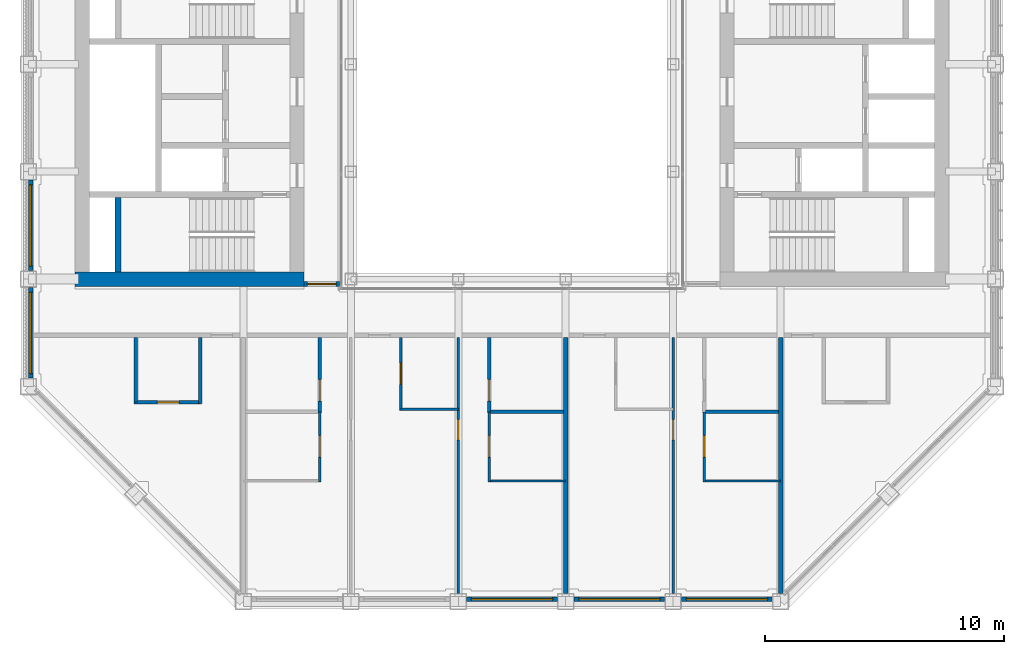
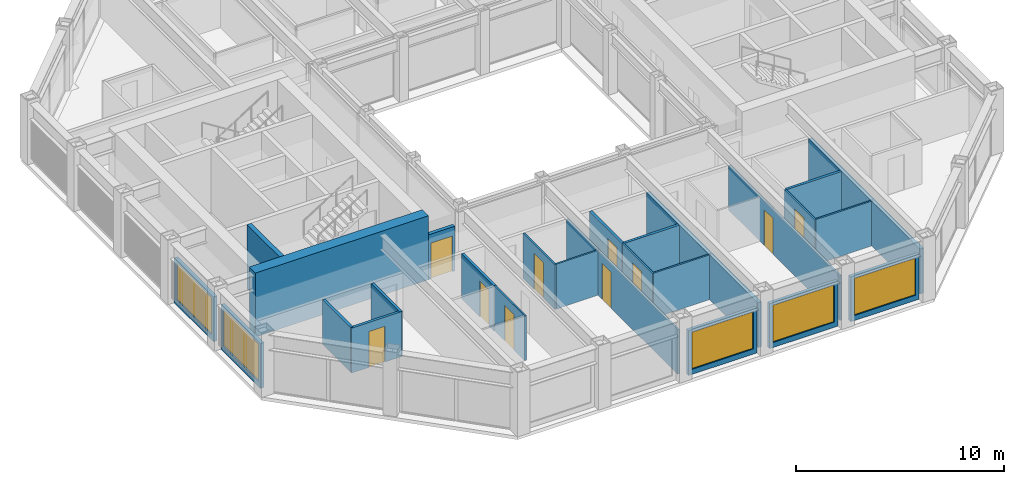
# One storey, part 9 of 18: 26 walls, 10 doors, 5 windows, 15 openings.
"""IFC4 building model written with IfcOpenShell, lengths in metres."""

from ifc_helpers import new_model, si_unit, direction, frame, frame_2d, origin, place, context, subcontext, project, spatial, rectangle, extrude, material, layer, layer_set, type_object, element, fill, save


model = new_model("IFC4")

# Units and contexts
model_context = context("Model", 3, precision=1e-05, world=origin(), true_north=direction((0.0, 1.0)))
body_context = subcontext(model_context, "Body", "Model", "MODEL_VIEW")
ifc_project = project(units=[si_unit("LENGTHUNIT", "METRE"), si_unit("AREAUNIT", "SQUARE_METRE"), si_unit("VOLUMEUNIT", "CUBIC_METRE"), si_unit("PLANEANGLEUNIT", "RADIAN"), si_unit("MASSUNIT", "GRAM", prefix="KILO")], contexts=[model_context])

# Site, building, storey
site_placement = place(None, origin())
site = spatial("IfcSite", under=ifc_project, at=site_placement, CompositionType="ELEMENT")
building_placement = place(site_placement, origin())
building = spatial("IfcBuilding", under=site, at=building_placement, Name="Msasa Ring Tower", CompositionType="ELEMENT")
storey_placement = place(building_placement, frame((0.0, 0.0, 245.800048828125)))
storey = spatial("IfcBuildingStorey", under=building, at=storey_placement, Name="L64", CompositionType="ELEMENT", Elevation=245.800048828125)

# Walls
ifc_material_1 = material(Name="Concrete C60/75", Category="concrete")
ifc_layer_1 = layer(ifc_material_1, 0.60009765625)
ifc_layer_set_1 = layer_set([ifc_layer_1], Name="CW3 CORE WALL 600")
wall_type_1 = type_object("IfcWallType", Name="CW3 CORE WALL 600", PredefinedType="SHEAR", material=ifc_layer_set_1)
wall_1_placement = place(storey_placement, frame((-8.699951171875, -6.75, 0.0), z_axis=(0.0, 0.0, 1.0), x_axis=(-1.0, 0.0, 0.0)))
element("IfcWall", 1, at=wall_1_placement, inside=storey, type_object=wall_type_1, Name="W core wall S L64", PredefinedType="SHEAR", context=body_context, shape_type="SweptSolid", body=[
    extrude(rectangle(XDim=9.60009765625, YDim=0.60009765625, at=frame_2d((4.800048828125, 0.0))), origin(), (0.0, 0.0, 1.0), 3.75),
])
ifc_material_2 = material(Name="Concrete C60/75", Category="concrete")
ifc_layer_2 = layer(ifc_material_2, 0.25)
ifc_layer_set_2 = layer_set([ifc_layer_2], Name="CW4 CORE INNER WALL 250")
wall_type_2 = type_object("IfcWallType", Name="CW4 CORE INNER WALL 250", PredefinedType="SHEAR", material=ifc_layer_set_2)
wall_2_placement = place(storey_placement, frame((-16.5, -6.449951171875, 0.0), z_axis=(0.0, 0.0, 1.0), x_axis=(0.0, 1.0, 0.0)))
element("IfcWall", 2, at=wall_2_placement, inside=storey, type_object=wall_type_2, Name="W core wall RISERA L64", PredefinedType="SHEAR", context=body_context, shape_type="SweptSolid", body=[
    extrude(rectangle(XDim=3.125, YDim=0.25, at=frame_2d((1.5625, 0.0))), origin(), (0.0, 0.0, 1.0), 3.75),
])

# Wall, opening, window
ifc_material_3 = material(Name="Terracotta rainscreen on blockwork", Category="masonry")
ifc_layer_3 = layer(ifc_material_3, 0.199951171875)
ifc_layer_set_3 = layer_set([ifc_layer_3], Name="FW1 TERRACOTTA-LINED INFILL BAY WALL 200")
wall_type_3 = type_object("IfcWallType", Name="FW1 TERRACOTTA-LINED INFILL BAY WALL 200", PredefinedType="SOLIDWALL", material=ifc_layer_set_3)
wall_3_placement = place(storey_placement, frame((-1.89501953125, -20.14990234375, 0.0), z_axis=(0.0, 0.0, 1.0), x_axis=(1.0, 0.0, 0.0)))
wall_3 = element("IfcWall", 3, at=wall_3_placement, inside=storey, type_object=wall_type_3, Name="Infill bay wall S L64 02", PredefinedType="SOLIDWALL", context=body_context, shape_type="SweptSolid", body=[
    extrude(rectangle(XDim=3.7900390625, YDim=0.199951171875, at=frame_2d((1.89501953125, 0.0))), origin(), (0.0, 0.0, 1.0), 2.62890625),
])
opening_1_placement = place(wall_3_placement, frame((0.195068359375, 0.0, 0.300048828125)))
opening_1 = element("IfcOpeningElement", 4, at=opening_1_placement, cuts=wall_3, Name="Opening WN3", PredefinedType="OPENING", context=body_context, shape_type="SweptSolid", body=[
    extrude(rectangle(XDim=3.39990234375, YDim=2.178955078125, at=frame_2d((1.699951171875, 1.08935546875))), frame((0.0, 0.10986328125, 0.0), z_axis=(0.0, -1.0, 0.0), x_axis=(1.0, 0.0, 0.0)), (0.0, 0.0, 1.0), 0.219970703125),
])
ifc_material_4 = material(Name="Aluminium frame with clear glass", Category="aluminium")
window_type = type_object("IfcWindowType", Name="WN3 SUITE WINDOW 3400x2179", PartitioningType="SINGLE_PANEL", PredefinedType="WINDOW", material=ifc_material_4)
window_1_placement = place(opening_1_placement, origin())
window_1 = element("IfcWindow", 5, at=window_1_placement, inside=storey, type_object=window_type, Name="Window S L64 02", OverallHeight=2.178955078125, OverallWidth=3.39990234375, PartitioningType="SINGLE_PANEL", PredefinedType="WINDOW", context=body_context, shape_type="SweptSolid", body=[
    extrude(rectangle(XDim=3.39990234375, YDim=2.178955078125, at=frame_2d((1.699951171875, 1.08935546875))), frame((0.0, 0.030029296875, 0.0), z_axis=(0.0, -1.0, 0.0), x_axis=(1.0, 0.0, 0.0)), (0.0, 0.0, 1.0), 0.06005859375),
])
fill(opening_1, window_1)

wall_4_placement = place(storey_placement, frame((2.60498046875, -20.14990234375, 0.0), z_axis=(0.0, 0.0, 1.0), x_axis=(1.0, 0.0, 0.0)))
wall_4 = element("IfcWall", 6, at=wall_4_placement, inside=storey, type_object=wall_type_3, Name="Infill bay wall S L64 03", PredefinedType="SOLIDWALL", context=body_context, shape_type="SweptSolid", body=[
    extrude(rectangle(XDim=3.7900390625, YDim=0.199951171875, at=frame_2d((1.89501953125, 0.0))), origin(), (0.0, 0.0, 1.0), 2.62890625),
])
opening_2_placement = place(wall_4_placement, frame((0.195068359375, 0.0, 0.300048828125)))
opening_2 = element("IfcOpeningElement", 7, at=opening_2_placement, cuts=wall_4, Name="Opening WN3", PredefinedType="OPENING", context=body_context, shape_type="SweptSolid", body=[
    extrude(rectangle(XDim=3.39990234375, YDim=2.178955078125, at=frame_2d((1.699951171875, 1.08935546875))), frame((0.0, 0.10986328125, 0.0), z_axis=(0.0, -1.0, 0.0), x_axis=(1.0, 0.0, 0.0)), (0.0, 0.0, 1.0), 0.219970703125),
])
window_2_placement = place(opening_2_placement, origin())
window_2 = element("IfcWindow", 8, at=window_2_placement, inside=storey, type_object=window_type, Name="Window S L64 03", OverallHeight=2.178955078125, OverallWidth=3.39990234375, PartitioningType="SINGLE_PANEL", PredefinedType="WINDOW", context=body_context, shape_type="SweptSolid", body=[
    extrude(rectangle(XDim=3.39990234375, YDim=2.178955078125, at=frame_2d((1.699951171875, 1.08935546875))), frame((0.0, 0.030029296875, 0.0), z_axis=(0.0, -1.0, 0.0), x_axis=(1.0, 0.0, 0.0)), (0.0, 0.0, 1.0), 0.06005859375),
])
fill(opening_2, window_2)

wall_5_placement = place(storey_placement, frame((7.10498046875, -20.14990234375, 0.0), z_axis=(0.0, 0.0, 1.0), x_axis=(1.0, 0.0, 0.0)))
wall_5 = element("IfcWall", 9, at=wall_5_placement, inside=storey, type_object=wall_type_3, Name="Infill bay wall S L64 04", PredefinedType="SOLIDWALL", context=body_context, shape_type="SweptSolid", body=[
    extrude(rectangle(XDim=3.7900390625, YDim=0.199951171875, at=frame_2d((1.89501953125, 0.0))), origin(), (0.0, 0.0, 1.0), 2.62890625),
])
opening_3_placement = place(wall_5_placement, frame((0.195068359375, 0.0, 0.300048828125)))
opening_3 = element("IfcOpeningElement", 10, at=opening_3_placement, cuts=wall_5, Name="Opening WN3", PredefinedType="OPENING", context=body_context, shape_type="SweptSolid", body=[
    extrude(rectangle(XDim=3.39990234375, YDim=2.178955078125, at=frame_2d((1.699951171875, 1.08935546875))), frame((0.0, 0.10986328125, 0.0), z_axis=(0.0, -1.0, 0.0), x_axis=(1.0, 0.0, 0.0)), (0.0, 0.0, 1.0), 0.219970703125),
])
window_3_placement = place(opening_3_placement, origin())
window_3 = element("IfcWindow", 11, at=window_3_placement, inside=storey, type_object=window_type, Name="Window S L64 04", OverallHeight=2.178955078125, OverallWidth=3.39990234375, PartitioningType="SINGLE_PANEL", PredefinedType="WINDOW", context=body_context, shape_type="SweptSolid", body=[
    extrude(rectangle(XDim=3.39990234375, YDim=2.178955078125, at=frame_2d((1.699951171875, 1.08935546875))), frame((0.0, 0.030029296875, 0.0), z_axis=(0.0, -1.0, 0.0), x_axis=(1.0, 0.0, 0.0)), (0.0, 0.0, 1.0), 0.06005859375),
])
fill(opening_3, window_3)

wall_6_placement = place(storey_placement, frame((-20.14990234375, -10.89501953125, 0.0), z_axis=(0.0, 0.0, 1.0), x_axis=(0.0, 1.0, 0.0)))
wall_6 = element("IfcWall", 12, at=wall_6_placement, inside=storey, type_object=wall_type_3, Name="Infill bay wall W L64 21", PredefinedType="SOLIDWALL", context=body_context, shape_type="SweptSolid", body=[
    extrude(rectangle(XDim=3.7900390625, YDim=0.199951171875, at=frame_2d((1.89501953125, 0.0))), origin(), (0.0, 0.0, 1.0), 2.62890625),
])
opening_4_placement = place(wall_6_placement, frame((0.195068359375, 0.0, 0.300048828125)))
opening_4 = element("IfcOpeningElement", 13, at=opening_4_placement, cuts=wall_6, Name="Opening WN3", PredefinedType="OPENING", context=body_context, shape_type="SweptSolid", body=[
    extrude(rectangle(XDim=3.39990234375, YDim=2.178955078125, at=frame_2d((1.699951171875, 1.08935546875))), frame((0.0, 0.10986328125, 0.0), z_axis=(0.0, -1.0, 0.0), x_axis=(1.0, 0.0, 0.0)), (0.0, 0.0, 1.0), 0.219970703125),
])
window_4_placement = place(opening_4_placement, origin())
window_4 = element("IfcWindow", 14, at=window_4_placement, inside=storey, type_object=window_type, Name="Window W L64 21", OverallHeight=2.178955078125, OverallWidth=3.39990234375, PartitioningType="SINGLE_PANEL", PredefinedType="WINDOW", context=body_context, shape_type="SweptSolid", body=[
    extrude(rectangle(XDim=3.39990234375, YDim=2.178955078125, at=frame_2d((1.699951171875, 1.08935546875))), frame((0.0, 0.030029296875, 0.0), z_axis=(0.0, -1.0, 0.0), x_axis=(1.0, 0.0, 0.0)), (0.0, 0.0, 1.0), 0.06005859375),
])
fill(opening_4, window_4)

wall_7_placement = place(storey_placement, frame((-20.14990234375, -6.39501953125, 0.0), z_axis=(0.0, 0.0, 1.0), x_axis=(0.0, 1.0, 0.0)))
wall_7 = element("IfcWall", 15, at=wall_7_placement, inside=storey, type_object=wall_type_3, Name="Infill bay wall W L64 22", PredefinedType="SOLIDWALL", context=body_context, shape_type="SweptSolid", body=[
    extrude(rectangle(XDim=3.7900390625, YDim=0.199951171875, at=frame_2d((1.89501953125, 0.0))), origin(), (0.0, 0.0, 1.0), 2.62890625),
])
opening_5_placement = place(wall_7_placement, frame((0.195068359375, 0.0, 0.300048828125)))
opening_5 = element("IfcOpeningElement", 16, at=opening_5_placement, cuts=wall_7, Name="Opening WN3", PredefinedType="OPENING", context=body_context, shape_type="SweptSolid", body=[
    extrude(rectangle(XDim=3.39990234375, YDim=2.178955078125, at=frame_2d((1.699951171875, 1.08935546875))), frame((0.0, 0.10986328125, 0.0), z_axis=(0.0, -1.0, 0.0), x_axis=(1.0, 0.0, 0.0)), (0.0, 0.0, 1.0), 0.219970703125),
])
window_5_placement = place(opening_5_placement, origin())
window_5 = element("IfcWindow", 17, at=window_5_placement, inside=storey, type_object=window_type, Name="Window W L64 22", OverallHeight=2.178955078125, OverallWidth=3.39990234375, PartitioningType="SINGLE_PANEL", PredefinedType="WINDOW", context=body_context, shape_type="SweptSolid", body=[
    extrude(rectangle(XDim=3.39990234375, YDim=2.178955078125, at=frame_2d((1.699951171875, 1.08935546875))), frame((0.0, 0.030029296875, 0.0), z_axis=(0.0, -1.0, 0.0), x_axis=(1.0, 0.0, 0.0)), (0.0, 0.0, 1.0), 0.06005859375),
])
fill(opening_5, window_5)

# Wall, opening, door
ifc_material_5 = material(Name="Concrete blockwork", Category="masonry")
ifc_layer_4 = layer(ifc_material_5, 0.199951171875)
ifc_layer_set_4 = layer_set([ifc_layer_4], Name="PT1 CORRIDOR WALL 200")
wall_type_4 = type_object("IfcWallType", Name="PT1 CORRIDOR WALL 200", PredefinedType="PARTITIONING", material=ifc_layer_set_4)
wall_8_placement = place(storey_placement, frame((-8.699951171875, -6.949951171875, 0.0), z_axis=(0.0, 0.0, 1.0), x_axis=(1.0, 0.0, 0.0)))
wall_8 = element("IfcWall", 18, at=wall_8_placement, inside=storey, type_object=wall_type_4, Name="Corridor wall L64-SDWS", PredefinedType="PARTITIONING", context=body_context, shape_type="SweptSolid", body=[
    extrude(rectangle(XDim=1.469970703125, YDim=0.199951171875, at=frame_2d((0.73486328125, 0.0))), origin(), (0.0, 0.0, 1.0), 2.62890625),
])
opening_6_placement = place(wall_8_placement, frame((0.135009765625, 0.0, 0.0)))
opening_6 = element("IfcOpeningElement", 19, at=opening_6_placement, cuts=wall_8, Name="Opening SE-032", PredefinedType="OPENING", context=body_context, shape_type="SweptSolid", body=[
    extrude(rectangle(XDim=1.199951171875, YDim=2.10009765625, at=frame_2d((0.60009765625, 1.050048828125))), frame((0.0, 0.10986328125, 0.0), z_axis=(0.0, -1.0, 0.0), x_axis=(1.0, 0.0, 0.0)), (0.0, 0.0, 1.0), 0.219970703125),
])
ifc_material_6 = material(Name="Timber door leaf in a steel frame", Category="steel")
door_type_1 = type_object("IfcDoorType", Name="D25 CORRIDOR PAIR OF SMOKE DOORS 1200x2100", OperationType="DOUBLE_DOOR_DOUBLE_SWING", PredefinedType="DOOR", material=ifc_material_6)
door_1_placement = place(opening_6_placement, origin())
door_1 = element("IfcDoor", 20, at=door_1_placement, inside=storey, type_object=door_type_1, Name="Door L64-SDWS", OperationType="DOUBLE_DOOR_DOUBLE_SWING", OverallHeight=2.10009765625, OverallWidth=1.199951171875, PredefinedType="DOOR", context=body_context, shape_type="SweptSolid", body=[
    extrude(rectangle(XDim=1.199951171875, YDim=2.10009765625, at=frame_2d((0.60009765625, 1.050048828125))), frame((0.0, 0.02490234375, 0.0), z_axis=(0.0, -1.0, 0.0), x_axis=(1.0, 0.0, 0.0)), (0.0, 0.0, 1.0), 0.050048828125),
])
fill(opening_6, door_1)

ifc_material_7 = material(Name="Gypsum board on steel studs", Category="steel")
ifc_layer_5 = layer(ifc_material_7, 0.10009765625)
ifc_layer_set_5 = layer_set([ifc_layer_5], Name="PT2 STUD PARTITION 100")
wall_type_5 = type_object("IfcWallType", Name="PT2 STUD PARTITION 100", PredefinedType="PARTITIONING", material=ifc_layer_set_5)
wall_9_placement = place(storey_placement, frame((-4.64990234375, -12.25, 0.0), z_axis=(0.0, 0.0, 1.0), x_axis=(0.0, 1.0, 0.0)))
wall_9 = element("IfcWall", 21, at=wall_9_placement, inside=storey, type_object=wall_type_5, Name="Partition L64-JS00PNX", PredefinedType="PARTITIONING", context=body_context, shape_type="SweptSolid", body=[
    extrude(rectangle(XDim=3.050048828125, YDim=0.10009765625, at=frame_2d((1.52490234375, 0.0))), origin(), (0.0, 0.0, 1.0), 2.62890625),
])
opening_7_placement = place(wall_9_placement, frame((1.10009765625, 0.0, 0.0)))
opening_7 = element("IfcOpeningElement", 22, at=opening_7_placement, cuts=wall_9, Name="Opening SE-038", PredefinedType="OPENING", context=body_context, shape_type="SweptSolid", body=[
    extrude(rectangle(XDim=0.89990234375, YDim=2.10009765625, at=frame_2d((0.449951171875, 1.050048828125))), frame((0.0, 0.06005859375, 0.0), z_axis=(0.0, -1.0, 0.0), x_axis=(1.0, 0.0, 0.0)), (0.0, 0.0, 1.0), 0.1201171875),
])
ifc_material_8 = material(Name="Timber door leaf in a steel frame", Category="steel")
door_type_2 = type_object("IfcDoorType", Name="D22 INTERNAL HALL DOOR 900x2100", OperationType="SINGLE_SWING_LEFT", PredefinedType="DOOR", material=ifc_material_8)
door_2_placement = place(opening_7_placement, origin())
door_2 = element("IfcDoor", 23, at=door_2_placement, inside=storey, type_object=door_type_2, Name="Door L64-JS00PN", OperationType="SINGLE_SWING_LEFT", OverallHeight=2.10009765625, OverallWidth=0.89990234375, PredefinedType="DOOR", context=body_context, shape_type="SweptSolid", body=[
    extrude(rectangle(XDim=0.89990234375, YDim=2.10009765625, at=frame_2d((0.449951171875, 1.050048828125))), frame((0.0, 0.02490234375, 0.0), z_axis=(0.0, -1.0, 0.0), x_axis=(1.0, 0.0, 0.0)), (0.0, 0.0, 1.0), 0.050048828125),
])
fill(opening_7, door_2)

# Wall
wall_10_placement = place(storey_placement, frame((-4.64990234375, -12.199951171875, 0.0), z_axis=(0.0, 0.0, 1.0), x_axis=(1.0, 0.0, 0.0)))
element("IfcWall", 24, at=wall_10_placement, inside=storey, type_object=wall_type_5, Name="Partition L64-JS00PNY", PredefinedType="PARTITIONING", context=body_context, shape_type="SweptSolid", body=[
    extrude(rectangle(XDim=2.39990234375, YDim=0.10009765625, at=frame_2d((1.199951171875, 0.0))), origin(), (0.0, 0.0, 1.0), 2.62890625),
])

# Wall, opening, door
wall_11_placement = place(storey_placement, frame((-8.050048828125, -15.25, 0.0), z_axis=(0.0, 0.0, 1.0), x_axis=(0.0, 1.0, 0.0)))
wall_11 = element("IfcWall", 25, at=wall_11_placement, inside=storey, type_object=wall_type_5, Name="Partition L64-JS00DX0", PredefinedType="PARTITIONING", context=body_context, shape_type="SweptSolid", body=[
    extrude(rectangle(XDim=2.949951171875, YDim=0.10009765625, at=frame_2d((1.47509765625, 0.0))), origin(), (0.0, 0.0, 1.0), 2.62890625),
])
opening_8_placement = place(wall_11_placement, frame((1.050048828125, 0.0, 0.0)))
opening_8 = element("IfcOpeningElement", 26, at=opening_8_placement, cuts=wall_11, Name="Opening SE-048", PredefinedType="OPENING", context=body_context, shape_type="SweptSolid", body=[
    extrude(rectangle(XDim=0.89990234375, YDim=2.10009765625, at=frame_2d((0.449951171875, 1.050048828125))), frame((0.0, 0.06005859375, 0.0), z_axis=(0.0, -1.0, 0.0), x_axis=(1.0, 0.0, 0.0)), (0.0, 0.0, 1.0), 0.1201171875),
])
door_3_placement = place(opening_8_placement, origin())
door_3 = element("IfcDoor", 27, at=door_3_placement, inside=storey, type_object=door_type_2, Name="Door L64-JS00D0", OperationType="SINGLE_SWING_LEFT", OverallHeight=2.10009765625, OverallWidth=0.89990234375, PredefinedType="DOOR", context=body_context, shape_type="SweptSolid", body=[
    extrude(rectangle(XDim=0.89990234375, YDim=2.10009765625, at=frame_2d((0.449951171875, 1.050048828125))), frame((0.0, 0.02490234375, 0.0), z_axis=(0.0, -1.0, 0.0), x_axis=(1.0, 0.0, 0.0)), (0.0, 0.0, 1.0), 0.050048828125),
])
fill(opening_8, door_3)

wall_12_placement = place(storey_placement, frame((-2.25, -19.89990234375, 0.0), z_axis=(0.0, 0.0, 1.0), x_axis=(0.0, 1.0, 0.0)))
wall_12 = element("IfcWall", 28, at=wall_12_placement, inside=storey, type_object=wall_type_5, Name="Partition L64-JS00P2", PredefinedType="PARTITIONING", context=body_context, shape_type="SweptSolid", body=[
    extrude(rectangle(XDim=10.699951171875, YDim=0.10009765625, at=frame_2d((5.35009765625, 0.0))), origin(), (0.0, 0.0, 1.0), 2.62890625),
])
opening_9_placement = place(wall_12_placement, frame((6.425048828125, 0.0, 0.0)))
opening_9 = element("IfcOpeningElement", 29, at=opening_9_placement, cuts=wall_12, Name="Opening SE-046", PredefinedType="OPENING", context=body_context, shape_type="SweptSolid", body=[
    extrude(rectangle(XDim=0.85009765625, YDim=2.10009765625, at=frame_2d((0.425048828125, 1.050048828125))), frame((0.0, 0.06005859375, 0.0), z_axis=(0.0, -1.0, 0.0), x_axis=(1.0, 0.0, 0.0)), (0.0, 0.0, 1.0), 0.1201171875),
])
ifc_material_9 = material(Name="Timber door leaf in a steel frame", Category="steel")
door_type_3 = type_object("IfcDoorType", Name="D14 BEDROOM DOOR 850x2100", OperationType="SINGLE_SWING_LEFT", PredefinedType="DOOR", material=ifc_material_9)
door_4_placement = place(opening_9_placement, origin())
door_4 = element("IfcDoor", 30, at=door_4_placement, inside=storey, type_object=door_type_3, Name="Door L64-JS00R2", OperationType="SINGLE_SWING_RIGHT", OverallHeight=2.10009765625, OverallWidth=0.85009765625, PredefinedType="DOOR", context=body_context, shape_type="SweptSolid", body=[
    extrude(rectangle(XDim=0.85009765625, YDim=2.10009765625, at=frame_2d((0.425048828125, 1.050048828125))), frame((0.0, 0.02490234375, 0.0), z_axis=(0.0, -1.0, 0.0), x_axis=(1.0, 0.0, 0.0)), (0.0, 0.0, 1.0), 0.050048828125),
])
fill(opening_9, door_4)

wall_13_placement = place(storey_placement, frame((-0.949951171875, -15.25, 0.0), z_axis=(0.0, 0.0, 1.0), x_axis=(0.0, 1.0, 0.0)))
wall_13 = element("IfcWall", 31, at=wall_13_placement, inside=storey, type_object=wall_type_5, Name="Partition L64-JS00DX2", PredefinedType="PARTITIONING", context=body_context, shape_type="SweptSolid", body=[
    extrude(rectangle(XDim=2.949951171875, YDim=0.10009765625, at=frame_2d((1.47509765625, 0.0))), origin(), (0.0, 0.0, 1.0), 2.62890625),
])
opening_10_placement = place(wall_13_placement, frame((1.050048828125, 0.0, 0.0)))
opening_10 = element("IfcOpeningElement", 32, at=opening_10_placement, cuts=wall_13, Name="Opening SE-049", PredefinedType="OPENING", context=body_context, shape_type="SweptSolid", body=[
    extrude(rectangle(XDim=0.89990234375, YDim=2.10009765625, at=frame_2d((0.449951171875, 1.050048828125))), frame((0.0, 0.06005859375, 0.0), z_axis=(0.0, -1.0, 0.0), x_axis=(1.0, 0.0, 0.0)), (0.0, 0.0, 1.0), 0.1201171875),
])
door_5_placement = place(opening_10_placement, origin())
door_5 = element("IfcDoor", 33, at=door_5_placement, inside=storey, type_object=door_type_2, Name="Door L64-JS00D2", OperationType="SINGLE_SWING_LEFT", OverallHeight=2.10009765625, OverallWidth=0.89990234375, PredefinedType="DOOR", context=body_context, shape_type="SweptSolid", body=[
    extrude(rectangle(XDim=0.89990234375, YDim=2.10009765625, at=frame_2d((0.449951171875, 1.050048828125))), frame((0.0, 0.02490234375, 0.0), z_axis=(0.0, -1.0, 0.0), x_axis=(1.0, 0.0, 0.0)), (0.0, 0.0, 1.0), 0.050048828125),
])
fill(opening_10, door_5)

# Wall
wall_14_placement = place(storey_placement, frame((-0.949951171875, -15.199951171875, 0.0), z_axis=(0.0, 0.0, 1.0), x_axis=(1.0, 0.0, 0.0)))
element("IfcWall", 34, at=wall_14_placement, inside=storey, type_object=wall_type_5, Name="Partition L64-JS00DY2", PredefinedType="PARTITIONING", context=body_context, shape_type="SweptSolid", body=[
    extrude(rectangle(XDim=3.199951171875, YDim=0.10009765625, at=frame_2d((1.60009765625, 0.0))), origin(), (0.0, 0.0, 1.0), 2.62890625),
])

# Wall, opening, door
wall_15_placement = place(storey_placement, frame((6.75, -19.89990234375, 0.0), z_axis=(0.0, 0.0, 1.0), x_axis=(0.0, 1.0, 0.0)))
wall_15 = element("IfcWall", 35, at=wall_15_placement, inside=storey, type_object=wall_type_5, Name="Partition L64-JS01P1", PredefinedType="PARTITIONING", context=body_context, shape_type="SweptSolid", body=[
    extrude(rectangle(XDim=10.699951171875, YDim=0.10009765625, at=frame_2d((5.35009765625, 0.0))), origin(), (0.0, 0.0, 1.0), 2.62890625),
])
opening_11_placement = place(wall_15_placement, frame((6.425048828125, 0.0, 0.0)))
opening_11 = element("IfcOpeningElement", 36, at=opening_11_placement, cuts=wall_15, Name="Opening SE-047", PredefinedType="OPENING", context=body_context, shape_type="SweptSolid", body=[
    extrude(rectangle(XDim=0.85009765625, YDim=2.10009765625, at=frame_2d((0.425048828125, 1.050048828125))), frame((0.0, 0.06005859375, 0.0), z_axis=(0.0, -1.0, 0.0), x_axis=(1.0, 0.0, 0.0)), (0.0, 0.0, 1.0), 0.1201171875),
])
door_6_placement = place(opening_11_placement, origin())
door_6 = element("IfcDoor", 37, at=door_6_placement, inside=storey, type_object=door_type_3, Name="Door L64-JS01R1", OperationType="SINGLE_SWING_RIGHT", OverallHeight=2.10009765625, OverallWidth=0.85009765625, PredefinedType="DOOR", context=body_context, shape_type="SweptSolid", body=[
    extrude(rectangle(XDim=0.85009765625, YDim=2.10009765625, at=frame_2d((0.425048828125, 1.050048828125))), frame((0.0, 0.02490234375, 0.0), z_axis=(0.0, -1.0, 0.0), x_axis=(1.0, 0.0, 0.0)), (0.0, 0.0, 1.0), 0.050048828125),
])
fill(opening_11, door_6)

wall_16_placement = place(storey_placement, frame((8.050048828125, -15.25, 0.0), z_axis=(0.0, 0.0, 1.0), x_axis=(0.0, 1.0, 0.0)))
wall_16 = element("IfcWall", 38, at=wall_16_placement, inside=storey, type_object=wall_type_5, Name="Partition L64-JS01DX1", PredefinedType="PARTITIONING", context=body_context, shape_type="SweptSolid", body=[
    extrude(rectangle(XDim=2.949951171875, YDim=0.10009765625, at=frame_2d((1.47509765625, 0.0))), origin(), (0.0, 0.0, 1.0), 2.62890625),
])
opening_12_placement = place(wall_16_placement, frame((1.050048828125, 0.0, 0.0)))
opening_12 = element("IfcOpeningElement", 39, at=opening_12_placement, cuts=wall_16, Name="Opening SE-050", PredefinedType="OPENING", context=body_context, shape_type="SweptSolid", body=[
    extrude(rectangle(XDim=0.89990234375, YDim=2.10009765625, at=frame_2d((0.449951171875, 1.050048828125))), frame((0.0, 0.06005859375, 0.0), z_axis=(0.0, -1.0, 0.0), x_axis=(1.0, 0.0, 0.0)), (0.0, 0.0, 1.0), 0.1201171875),
])
door_7_placement = place(opening_12_placement, origin())
door_7 = element("IfcDoor", 40, at=door_7_placement, inside=storey, type_object=door_type_2, Name="Door L64-JS01D1", OperationType="SINGLE_SWING_LEFT", OverallHeight=2.10009765625, OverallWidth=0.89990234375, PredefinedType="DOOR", context=body_context, shape_type="SweptSolid", body=[
    extrude(rectangle(XDim=0.89990234375, YDim=2.10009765625, at=frame_2d((0.449951171875, 1.050048828125))), frame((0.0, 0.02490234375, 0.0), z_axis=(0.0, -1.0, 0.0), x_axis=(1.0, 0.0, 0.0)), (0.0, 0.0, 1.0), 0.050048828125),
])
fill(opening_12, door_7)

# Walls
wall_17_placement = place(storey_placement, frame((8.050048828125, -15.199951171875, 0.0), z_axis=(0.0, 0.0, 1.0), x_axis=(1.0, 0.0, 0.0)))
element("IfcWall", 41, at=wall_17_placement, inside=storey, type_object=wall_type_5, Name="Partition L64-JS01DY1", PredefinedType="PARTITIONING", context=body_context, shape_type="SweptSolid", body=[
    extrude(rectangle(XDim=3.199951171875, YDim=0.10009765625, at=frame_2d((1.60009765625, 0.0))), origin(), (0.0, 0.0, 1.0), 2.62890625),
])
ifc_material_10 = material(Name="Dense concrete blockwork, plastered both faces", Category="masonry")
ifc_layer_6 = layer(ifc_material_10, 0.25)
ifc_layer_set_6 = layer_set([ifc_layer_6], Name="PT3 APARTMENT SEPARATING WALL 250")
wall_type_6 = type_object("IfcWallType", Name="PT3 APARTMENT SEPARATING WALL 250", PredefinedType="PARTITIONING", material=ifc_layer_set_6)
for number, where, z_axis, x_axis, name in (
    (42, (2.25, -19.89990234375, 0.0), (0.0, 0.0, 1.0), (0.0, 1.0, 0.0), "Party wall L64-PWS+2.25"),
    (43, (11.25, -19.89990234375, 0.0), (0.0, 0.0, 1.0), (0.0, 1.0, 0.0), "Party wall L64-PWS+11.25"),
):
    element("IfcWall", number, at=place(storey_placement, frame(where, z_axis=z_axis, x_axis=x_axis)), inside=storey, type_object=wall_type_6, Name=name, PredefinedType="PARTITIONING", context=body_context, shape_type="SweptSolid", body=[
        extrude(rectangle(XDim=10.699951171875, YDim=0.199951171875, at=frame_2d((5.35009765625, 0.0))), origin(), (0.0, 0.0, 1.0), 2.62890625),
    ])

# Wall, opening, door
ifc_material_11 = material(Name="Moisture-resistant board on steel studs with a concealed cistern and pipe void, tiled", Category="steel")
ifc_layer_7 = layer(ifc_material_11, 0.14990234375)
ifc_layer_set_7 = layer_set([ifc_layer_7], Name="PT4 BATHROOM WET WALL 150")
wall_type_7 = type_object("IfcWallType", Name="PT4 BATHROOM WET WALL 150", PredefinedType="PARTITIONING", material=ifc_layer_set_7)
wall_18_placement = place(storey_placement, frame((-8.050048828125, -12.35009765625, 0.0), z_axis=(0.0, 0.0, 1.0), x_axis=(0.0, 1.0, 0.0)))
wall_18 = element("IfcWall", 44, at=wall_18_placement, inside=storey, type_object=wall_type_7, Name="Partition L64-JS00BX0", PredefinedType="PARTITIONING", context=body_context, shape_type="SweptSolid", body=[
    extrude(rectangle(XDim=3.150146484375, YDim=0.14990234375, at=frame_2d((1.5751953125, 0.0))), origin(), (0.0, 0.0, 1.0), 2.62890625),
])
opening_13_placement = place(wall_18_placement, frame((0.5, 0.0, 0.0)))
opening_13 = element("IfcOpeningElement", 45, at=opening_13_placement, cuts=wall_18, Name="Opening SE-040", PredefinedType="OPENING", context=body_context, shape_type="SweptSolid", body=[
    extrude(rectangle(XDim=0.89990234375, YDim=2.10009765625, at=frame_2d((0.449951171875, 1.050048828125))), frame((0.0, 0.0849609375, 0.0), z_axis=(0.0, -1.0, 0.0), x_axis=(1.0, 0.0, 0.0)), (0.0, 0.0, 1.0), 0.169921875),
])
ifc_material_12 = material(Name="Timber door leaf in a steel frame", Category="steel")
door_type_4 = type_object("IfcDoorType", Name="D3 BATHROOM DOOR 900x2100", OperationType="SINGLE_SWING_LEFT", PredefinedType="DOOR", material=ifc_material_12)
door_8_placement = place(opening_13_placement, origin())
door_8 = element("IfcDoor", 46, at=door_8_placement, inside=storey, type_object=door_type_4, Name="Door L64-JS00B0", OperationType="SINGLE_SWING_LEFT", OverallHeight=2.10009765625, OverallWidth=0.89990234375, PredefinedType="DOOR", context=body_context, shape_type="SweptSolid", body=[
    extrude(rectangle(XDim=0.89990234375, YDim=2.10009765625, at=frame_2d((0.449951171875, 1.050048828125))), frame((0.0, 0.02490234375, 0.0), z_axis=(0.0, -1.0, 0.0), x_axis=(1.0, 0.0, 0.0)), (0.0, 0.0, 1.0), 0.050048828125),
])
fill(opening_13, door_8)

wall_19_placement = place(storey_placement, frame((-0.949951171875, -12.35009765625, 0.0), z_axis=(0.0, 0.0, 1.0), x_axis=(0.0, 1.0, 0.0)))
wall_19 = element("IfcWall", 47, at=wall_19_placement, inside=storey, type_object=wall_type_7, Name="Partition L64-JS00BX2", PredefinedType="PARTITIONING", context=body_context, shape_type="SweptSolid", body=[
    extrude(rectangle(XDim=3.150146484375, YDim=0.14990234375, at=frame_2d((1.5751953125, 0.0))), origin(), (0.0, 0.0, 1.0), 2.62890625),
])
opening_14_placement = place(wall_19_placement, frame((0.5, 0.0, 0.0)))
opening_14 = element("IfcOpeningElement", 48, at=opening_14_placement, cuts=wall_19, Name="Opening SE-041", PredefinedType="OPENING", context=body_context, shape_type="SweptSolid", body=[
    extrude(rectangle(XDim=0.89990234375, YDim=2.10009765625, at=frame_2d((0.449951171875, 1.050048828125))), frame((0.0, 0.0849609375, 0.0), z_axis=(0.0, -1.0, 0.0), x_axis=(1.0, 0.0, 0.0)), (0.0, 0.0, 1.0), 0.169921875),
])
door_9_placement = place(opening_14_placement, origin())
door_9 = element("IfcDoor", 49, at=door_9_placement, inside=storey, type_object=door_type_4, Name="Door L64-JS00B2", OperationType="SINGLE_SWING_LEFT", OverallHeight=2.10009765625, OverallWidth=0.89990234375, PredefinedType="DOOR", context=body_context, shape_type="SweptSolid", body=[
    extrude(rectangle(XDim=0.89990234375, YDim=2.10009765625, at=frame_2d((0.449951171875, 1.050048828125))), frame((0.0, 0.02490234375, 0.0), z_axis=(0.0, -1.0, 0.0), x_axis=(1.0, 0.0, 0.0)), (0.0, 0.0, 1.0), 0.050048828125),
])
fill(opening_14, door_9)

# Walls
for number, where, z_axis, x_axis, name in (
    (50, (-0.89990234375, -12.300048828125, 0.0), (0.0, 0.0, 1.0), (1.0, 0.0, 0.0), "Partition L64-JS00BY2"),
    (51, (8.10009765625, -12.300048828125, 0.0), (0.0, 0.0, 1.0), (1.0, 0.0, 0.0), "Partition L64-JS01BY1"),
):
    element("IfcWall", number, at=place(storey_placement, frame(where, z_axis=z_axis, x_axis=x_axis)), inside=storey, type_object=wall_type_7, Name=name, PredefinedType="PARTITIONING", context=body_context, shape_type="SweptSolid", body=[
        extrude(rectangle(XDim=3.0498046875, YDim=0.14990234375, at=frame_2d((1.52490234375, 0.0))), origin(), (0.0, 0.0, 1.0), 2.62890625),
    ])
wall_20_placement = place(storey_placement, frame((-13.050048828125, -11.949951171875, 0.0), z_axis=(0.0, 0.0, 1.0), x_axis=(0.0, 1.0, 0.0)))
element("IfcWall", 52, at=wall_20_placement, inside=storey, type_object=wall_type_7, Name="Partition L64-CSSWBX", PredefinedType="PARTITIONING", context=body_context, shape_type="SweptSolid", body=[
    extrude(rectangle(XDim=2.75, YDim=0.14990234375, at=frame_2d((1.375, 0.0))), origin(), (0.0, 0.0, 1.0), 2.62890625),
])

# Wall, opening, door
wall_21_placement = place(storey_placement, frame((-15.824951171875, -11.89990234375, 0.0), z_axis=(0.0, 0.0, 1.0), x_axis=(1.0, 0.0, 0.0)))
wall_21 = element("IfcWall", 53, at=wall_21_placement, inside=storey, type_object=wall_type_7, Name="Partition L64-CSSWBY", PredefinedType="PARTITIONING", context=body_context, shape_type="SweptSolid", body=[
    extrude(rectangle(XDim=2.77490234375, YDim=0.14990234375, at=frame_2d((1.387451171875, 0.0))), origin(), (0.0, 0.0, 1.0), 2.62890625),
])
opening_15_placement = place(wall_21_placement, frame((0.97509765625, 0.0, 0.0)))
opening_15 = element("IfcOpeningElement", 54, at=opening_15_placement, cuts=wall_21, Name="Opening SE-043", PredefinedType="OPENING", context=body_context, shape_type="SweptSolid", body=[
    extrude(rectangle(XDim=0.89990234375, YDim=2.10009765625, at=frame_2d((0.449951171875, 1.050048828125))), frame((0.0, 0.0849609375, 0.0), z_axis=(0.0, -1.0, 0.0), x_axis=(1.0, 0.0, 0.0)), (0.0, 0.0, 1.0), 0.169921875),
])
door_10_placement = place(opening_15_placement, origin())
door_10 = element("IfcDoor", 55, at=door_10_placement, inside=storey, type_object=door_type_4, Name="Door L64-CSSWB1", OperationType="SINGLE_SWING_RIGHT", OverallHeight=2.10009765625, OverallWidth=0.89990234375, PredefinedType="DOOR", context=body_context, shape_type="SweptSolid", body=[
    extrude(rectangle(XDim=0.89990234375, YDim=2.10009765625, at=frame_2d((0.449951171875, 1.050048828125))), frame((0.0, 0.02490234375, 0.0), z_axis=(0.0, -1.0, 0.0), x_axis=(1.0, 0.0, 0.0)), (0.0, 0.0, 1.0), 0.050048828125),
])
fill(opening_15, door_10)

# Wall
wall_22_placement = place(storey_placement, frame((-15.75, -11.89990234375, 0.0), z_axis=(0.0, 0.0, 1.0), x_axis=(0.0, 1.0, 0.0)))
element("IfcWall", 56, at=wall_22_placement, inside=storey, type_object=wall_type_7, Name="Partition L64-CSSWBE", PredefinedType="PARTITIONING", context=body_context, shape_type="SweptSolid", body=[
    extrude(rectangle(XDim=2.699951171875, YDim=0.14990234375, at=frame_2d((1.35009765625, 0.0))), origin(), (0.0, 0.0, 1.0), 2.62890625),
])

save(model, "model.ifc")
